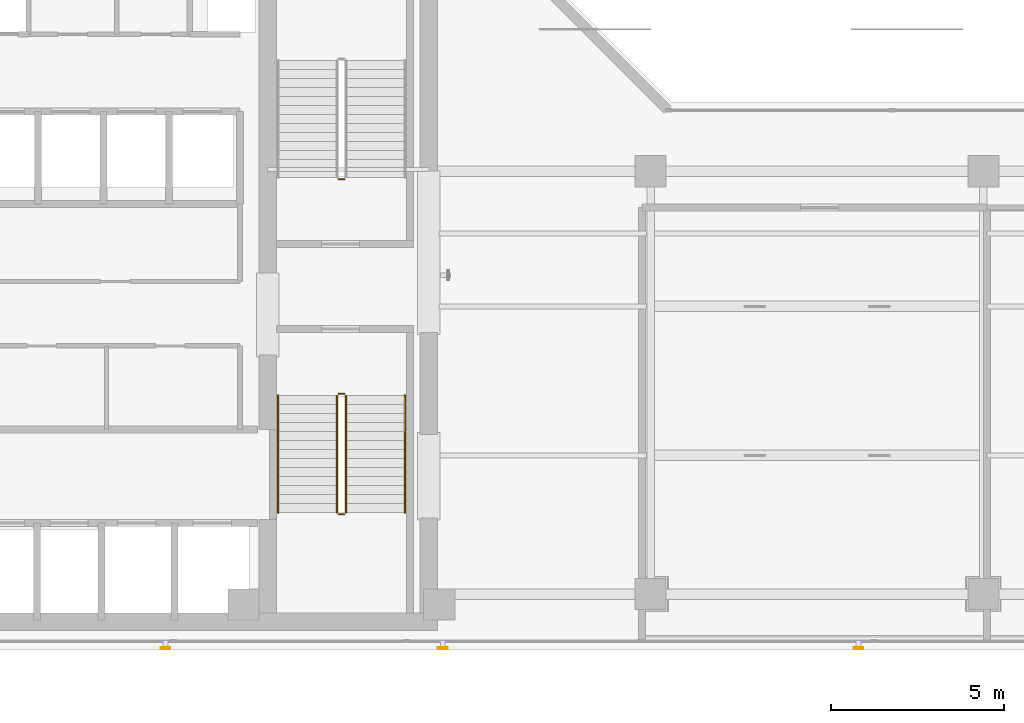
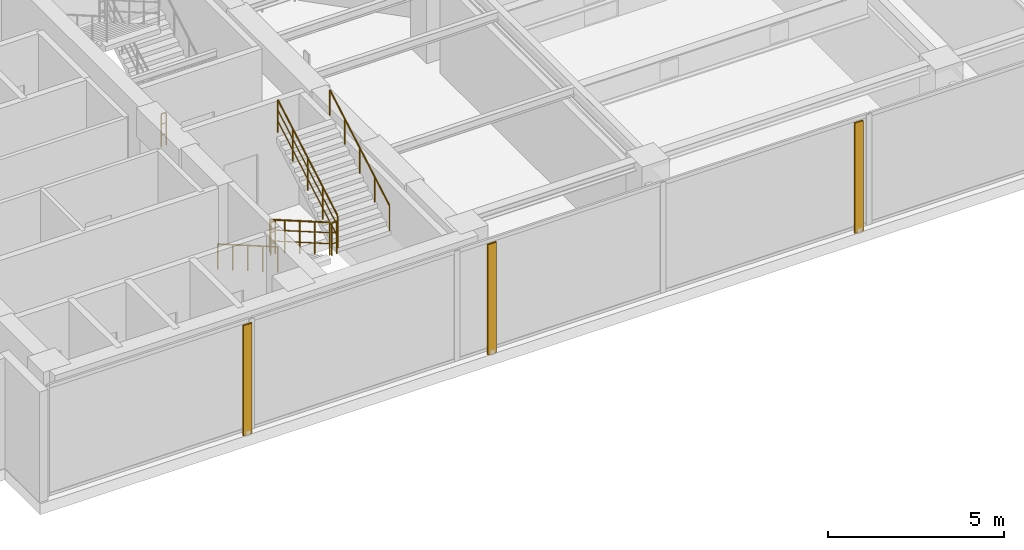
# One storey, part 28 of 32: 7 railings, 3 shading devices.
"""IFC4 building model written with IfcOpenShell, lengths in metres."""

from ifc_helpers import new_model, si_unit, direction, frame, origin, origin_2d, place, context, subcontext, project, spatial, hollow_rectangle, circle, extrude, material, material_profile, profile_set, type_object, element, save


model = new_model("IFC4")

# Units and contexts
model_context = context("Model", 3, precision=1e-05, world=origin(), true_north=direction((0.0, 1.0)))
body_context = subcontext(model_context, "Body", "Model", "MODEL_VIEW")
ifc_project = project(units=[si_unit("LENGTHUNIT", "METRE"), si_unit("AREAUNIT", "SQUARE_METRE"), si_unit("VOLUMEUNIT", "CUBIC_METRE"), si_unit("PLANEANGLEUNIT", "RADIAN"), si_unit("MASSUNIT", "GRAM", prefix="KILO")], contexts=[model_context])

# Site, building, storey
site_placement = place(None, origin())
site = spatial("IfcSite", under=ifc_project, at=site_placement, CompositionType="ELEMENT")
building_placement = place(site_placement, origin())
building = spatial("IfcBuilding", under=site, at=building_placement, Name="Kolvaren Waterfront Exchange", CompositionType="ELEMENT")
storey_placement = place(building_placement, frame((0.0, 0.0, 352.0)))
storey = spatial("IfcBuildingStorey", under=building, at=storey_placement, Name="L90", CompositionType="ELEMENT", Elevation=352.0)

# Shading devices
ifc_material_1 = material(Name="Anodised bronze aluminium 6063-T6", Category="aluminium")
ifc_material_profile = material_profile(ifc_material_1, hollow_rectangle(XDim=0.054931640625, YDim=0.280029296875, WallThickness=0.00439453125, at=origin_2d()), Name="BRZ-FIN-280x55x4.5")
ifc_profile_set = profile_set([ifc_material_profile], Name="Anodised bronze aluminium 6063-T6")
shading_device_type = type_object("IfcShadingDeviceType", Name="ARC-FIN-280", PredefinedType="USERDEFINED", material=ifc_profile_set)
for number, where, z_axis, x_axis, name in (
    (1, (13.199951171875, 3.639892578125, 0.0), (0.0, 0.0, 1.0), (0.0, -1.0, 0.0), "L90 anodised bronze solar shading fin FIN-L90-S1"),
    (2, (21.199951171875, 3.639892578125, 0.0), (0.0, 0.0, 1.0), (0.0, -1.0, 0.0), "L90 anodised bronze solar shading fin FIN-L90-S2"),
    (3, (33.199951171875, 3.639892578125, 0.0), (0.0, 0.0, 1.0), (0.0, -1.0, 0.0), "L90 anodised bronze solar shading fin FIN-L90-S3"),
):
    element("IfcShadingDevice", number, at=place(storey_placement, frame(where, z_axis=z_axis, x_axis=x_axis)), inside=storey, type_object=shading_device_type, Name=name, ObjectType="SOLAR FIN", PredefinedType="USERDEFINED", context=body_context, shape_type="SweptSolid", body=[
        extrude(hollow_rectangle(XDim=0.054931640625, YDim=0.280029296875, WallThickness=0.00439453125, at=origin_2d()), origin(), (0.0, 0.0, 1.0), 3.820068359375),
    ])

# Railings
ifc_material_2 = material(Name="Stainless steel 316", Category="steel")
railing_type_1 = type_object("IfcRailingType", Name="ARC-GUARD-STAIR", PredefinedType="GUARDRAIL", material=ifc_material_2)
railing_1_placement = place(storey_placement, frame((18.14990234375, 10.929931640625, 0.14990234375)))
element("IfcRailing", 4, at=railing_1_placement, inside=storey, type_object=railing_type_1, Name="L90 ST1 stair guard 1", PredefinedType="GUARDRAIL", context=body_context, shape_type="SweptSolid", body=[
    extrude(circle(Radius=0.02392578125, at=origin_2d()), frame((0.0, 0.0, 1.1259765625), z_axis=(0.0, -0.866156419758, 0.499773004986), x_axis=(1.0, 0.0, 0.0)), (0.0, 0.0, 1.0), 3.902099609375),
    extrude(circle(Radius=0.01611328125, at=origin_2d()), frame((0.0, 0.0, 0.390869140625), z_axis=(0.0, -0.866156419758, 0.499773004986), x_axis=(1.0, 0.0, 0.0)), (0.0, 0.0, 1.0), 3.902099609375),
    extrude(circle(Radius=0.01611328125, at=origin_2d()), frame((0.0, 0.0, 0.7705078125), z_axis=(0.0, -0.866156419758, 0.499773004986), x_axis=(1.0, 0.0, 0.0)), (0.0, 0.0, 1.0), 3.902099609375),
    extrude(circle(Radius=0.02099609375, at=origin_2d()), origin(), (0.0, 0.0, 1.0), 1.101806640625),
    extrude(circle(Radius=0.02099609375, at=origin_2d()), frame((0.0, -0.844970703125, 0.487548828125)), (0.0, 0.0, 1.0), 1.101806640625),
    extrude(circle(Radius=0.02099609375, at=origin_2d()), frame((0.0, -1.68994140625, 0.97509765625)), (0.0, 0.0, 1.0), 1.101806640625),
    extrude(circle(Radius=0.02099609375, at=origin_2d()), frame((0.0, -2.534912109375, 1.462646484375)), (0.0, 0.0, 1.0), 1.101806640625),
    extrude(circle(Radius=0.02099609375, at=origin_2d()), frame((0.0, -3.3798828125, 1.9501953125)), (0.0, 0.0, 1.0), 1.101806640625),
])
railing_2_placement = place(storey_placement, frame((18.199951171875, 7.5, 2.10009765625)))
element("IfcRailing", 5, at=railing_2_placement, inside=storey, type_object=railing_type_1, Name="L90 ST1 stair guard 2", PredefinedType="GUARDRAIL", context=body_context, shape_type="SweptSolid", body=[
    extrude(circle(Radius=0.02392578125, at=origin_2d()), frame((0.0, 0.0, 1.1259765625), z_axis=(1.0, 0.0, 0.0), x_axis=(0.0, 1.0, 0.0)), (0.0, 0.0, 1.0), 0.16015625),
    extrude(circle(Radius=0.01611328125, at=origin_2d()), frame((0.0, 0.0, 0.390869140625), z_axis=(1.0, 0.0, 0.0), x_axis=(0.0, 1.0, 0.0)), (0.0, 0.0, 1.0), 0.16015625),
    extrude(circle(Radius=0.01611328125, at=origin_2d()), frame((0.0, 0.0, 0.7705078125), z_axis=(1.0, 0.0, 0.0), x_axis=(0.0, 1.0, 0.0)), (0.0, 0.0, 1.0), 0.16015625),
    extrude(circle(Radius=0.02099609375, at=origin_2d()), origin(), (0.0, 0.0, 1.0), 1.101806640625),
    extrude(circle(Radius=0.02099609375, at=origin_2d()), frame((0.16015625, 0.0, 0.0)), (0.0, 0.0, 1.0), 1.101806640625),
])
railing_3_placement = place(storey_placement, frame((18.409912109375, 7.550048828125, 2.25)))
element("IfcRailing", 6, at=railing_3_placement, inside=storey, type_object=railing_type_1, Name="L90 ST1 stair guard 3", PredefinedType="GUARDRAIL", context=body_context, shape_type="SweptSolid", body=[
    extrude(circle(Radius=0.02392578125, at=origin_2d()), frame((0.0, 0.0, 1.1259765625), z_axis=(0.0, 0.866183502775, 0.49972606448), x_axis=(-1.0, 0.0, 0.0)), (0.0, 0.0, 1.0), 3.902099609375),
    extrude(circle(Radius=0.01611328125, at=origin_2d()), frame((0.0, 0.0, 0.390869140625), z_axis=(0.0, 0.866183502775, 0.49972606448), x_axis=(-1.0, 0.0, 0.0)), (0.0, 0.0, 1.0), 3.902099609375),
    extrude(circle(Radius=0.01611328125, at=origin_2d()), frame((0.0, 0.0, 0.7705078125), z_axis=(0.0, 0.866183502775, 0.49972606448), x_axis=(-1.0, 0.0, 0.0)), (0.0, 0.0, 1.0), 3.902099609375),
    extrude(circle(Radius=0.02099609375, at=origin_2d()), origin(), (0.0, 0.0, 1.0), 1.101806640625),
    extrude(circle(Radius=0.02099609375, at=origin_2d()), frame((0.0, 0.844970703125, 0.487548828125)), (0.0, 0.0, 1.0), 1.101806640625),
    extrude(circle(Radius=0.02099609375, at=origin_2d()), frame((0.0, 1.68994140625, 0.97509765625)), (0.0, 0.0, 1.0), 1.101806640625),
    extrude(circle(Radius=0.02099609375, at=origin_2d()), frame((0.0, 2.534912109375, 1.46240234375)), (0.0, 0.0, 1.0), 1.101806640625),
    extrude(circle(Radius=0.02099609375, at=origin_2d()), frame((0.0, 3.3798828125, 1.949951171875)), (0.0, 0.0, 1.0), 1.101806640625),
])
railing_4_placement = place(storey_placement, frame((18.199951171875, 10.97998046875, 0.0)))
element("IfcRailing", 7, at=railing_4_placement, inside=storey, type_object=railing_type_1, Name="L90 ST1 stair guard 4", PredefinedType="GUARDRAIL", context=body_context, shape_type="SweptSolid", body=[
    extrude(circle(Radius=0.02392578125, at=origin_2d()), frame((0.0, 0.0, 1.1259765625), z_axis=(1.0, 0.0, 0.0), x_axis=(0.0, 1.0, 0.0)), (0.0, 0.0, 1.0), 0.16015625),
    extrude(circle(Radius=0.01611328125, at=origin_2d()), frame((0.0, 0.0, 0.390869140625), z_axis=(1.0, 0.0, 0.0), x_axis=(0.0, 1.0, 0.0)), (0.0, 0.0, 1.0), 0.16015625),
    extrude(circle(Radius=0.01611328125, at=origin_2d()), frame((0.0, 0.0, 0.7705078125), z_axis=(1.0, 0.0, 0.0), x_axis=(0.0, 1.0, 0.0)), (0.0, 0.0, 1.0), 0.16015625),
    extrude(circle(Radius=0.02099609375, at=origin_2d()), origin(), (0.0, 0.0, 1.0), 1.101806640625),
    extrude(circle(Radius=0.02099609375, at=origin_2d()), frame((0.16015625, 0.0, 0.0)), (0.0, 0.0, 1.0), 1.101806640625),
])
railing_5_placement = place(storey_placement, frame((18.360107421875, 17.169921875, 0.0)))
element("IfcRailing", 8, at=railing_5_placement, inside=storey, type_object=railing_type_1, Name="L90 ST2 stair guard 4", PredefinedType="GUARDRAIL", context=body_context, shape_type="SweptSolid", body=[
    extrude(circle(Radius=0.02392578125, at=origin_2d()), frame((0.0, 0.0, 1.1259765625), z_axis=(-1.0, 0.0, 0.0), x_axis=(0.0, -1.0, 0.0)), (0.0, 0.0, 1.0), 0.16015625),
    extrude(circle(Radius=0.01611328125, at=origin_2d()), frame((0.0, 0.0, 0.390869140625), z_axis=(-1.0, 0.0, 0.0), x_axis=(0.0, -1.0, 0.0)), (0.0, 0.0, 1.0), 0.16015625),
    extrude(circle(Radius=0.01611328125, at=origin_2d()), frame((0.0, 0.0, 0.7705078125), z_axis=(-1.0, 0.0, 0.0), x_axis=(0.0, -1.0, 0.0)), (0.0, 0.0, 1.0), 0.16015625),
    extrude(circle(Radius=0.02099609375, at=origin_2d()), origin(), (0.0, 0.0, 1.0), 1.101806640625),
    extrude(circle(Radius=0.02099609375, at=origin_2d()), frame((-0.16015625, 0.0, 0.0)), (0.0, 0.0, 1.0), 1.101806640625),
])
railing_type_2 = type_object("IfcRailingType", Name="ARC-HANDRAIL-900", PredefinedType="HANDRAIL", material=ifc_material_2)
railing_6_placement = place(storey_placement, frame((16.449951171875, 10.929931640625, 0.14990234375)))
element("IfcRailing", 9, at=railing_6_placement, inside=storey, type_object=railing_type_2, Name="L90 ST1 stair handrail 1", PredefinedType="HANDRAIL", context=body_context, shape_type="SweptSolid", body=[
    extrude(circle(Radius=0.02392578125, at=origin_2d()), frame((0.0, 0.0, 0.8759765625), z_axis=(0.0, -0.866156419758, 0.499773004986), x_axis=(1.0, 0.0, 0.0)), (0.0, 0.0, 1.0), 3.902099609375),
    extrude(circle(Radius=0.02099609375, at=origin_2d()), origin(), (0.0, 0.0, 1.0), 0.851806640625),
    extrude(circle(Radius=0.02099609375, at=origin_2d()), frame((0.0, -0.844970703125, 0.487548828125)), (0.0, 0.0, 1.0), 0.851806640625),
    extrude(circle(Radius=0.02099609375, at=origin_2d()), frame((0.0, -1.68994140625, 0.97509765625)), (0.0, 0.0, 1.0), 0.851806640625),
    extrude(circle(Radius=0.02099609375, at=origin_2d()), frame((0.0, -2.534912109375, 1.462646484375)), (0.0, 0.0, 1.0), 0.851806640625),
    extrude(circle(Radius=0.02099609375, at=origin_2d()), frame((0.0, -3.3798828125, 1.9501953125)), (0.0, 0.0, 1.0), 0.851806640625),
])
railing_7_placement = place(storey_placement, frame((20.110107421875, 7.550048828125, 2.25)))
element("IfcRailing", 10, at=railing_7_placement, inside=storey, type_object=railing_type_2, Name="L90 ST1 stair handrail 2", PredefinedType="HANDRAIL", context=body_context, shape_type="SweptSolid", body=[
    extrude(circle(Radius=0.02392578125, at=origin_2d()), frame((0.0, 0.0, 0.8759765625), z_axis=(0.0, 0.866183502775, 0.49972606448), x_axis=(-1.0, 0.0, 0.0)), (0.0, 0.0, 1.0), 3.902099609375),
    extrude(circle(Radius=0.02099609375, at=origin_2d()), origin(), (0.0, 0.0, 1.0), 0.851806640625),
    extrude(circle(Radius=0.02099609375, at=origin_2d()), frame((0.0, 0.844970703125, 0.487548828125)), (0.0, 0.0, 1.0), 0.851806640625),
    extrude(circle(Radius=0.02099609375, at=origin_2d()), frame((0.0, 1.68994140625, 0.97509765625)), (0.0, 0.0, 1.0), 0.851806640625),
    extrude(circle(Radius=0.02099609375, at=origin_2d()), frame((0.0, 2.534912109375, 1.46240234375)), (0.0, 0.0, 1.0), 0.851806640625),
    extrude(circle(Radius=0.02099609375, at=origin_2d()), frame((0.0, 3.3798828125, 1.949951171875)), (0.0, 0.0, 1.0), 0.851806640625),
])

save(model, "model.ifc")
